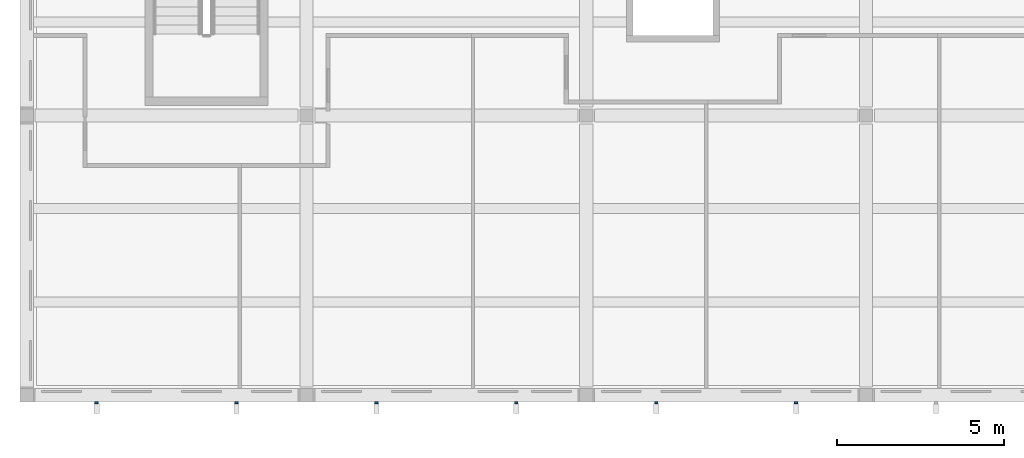
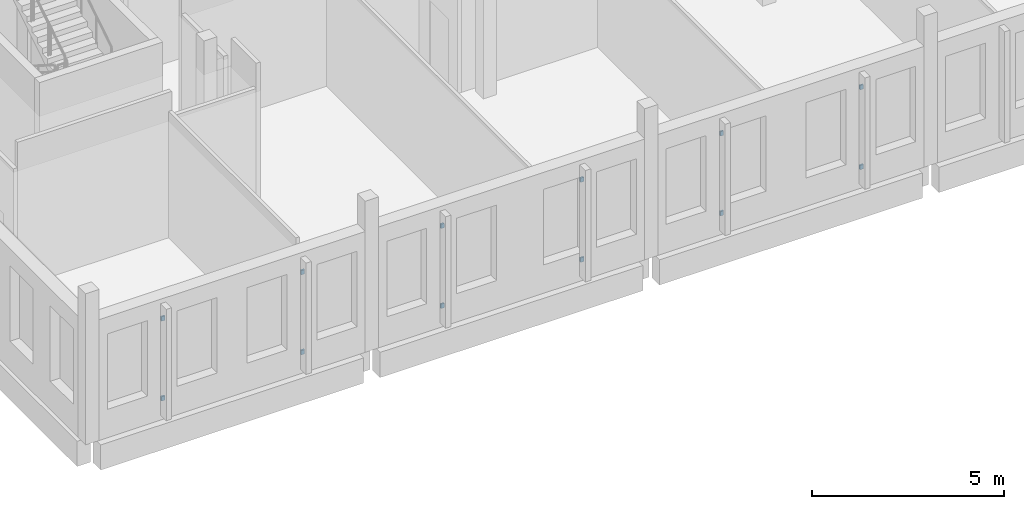
# One storey, part 68 of 103: 12 discrete accessories.
"""IFC4 building model written with IfcOpenShell, lengths in metres."""

import ifcopenshell
import ifcopenshell.guid

model = None  # the IFC model being written
_history = None  # IfcOwnerHistory: only IFC2X3 demands one
_inside = {}  # id of a spatial element -> (the spatial element, [elements in it])
_under = {}  # id of a project, library or spatial element -> (it, [spatial elements below it])
_declared = {}  # id of a project -> (the project, [libraries it declares])
_typed = {}  # id of a type object -> (the type object, [elements of that type])
_made_of = {}  # id of a material, layer set ... -> (it, [elements and type objects made of it])


def new_model(schema):
    """Start an empty IFC model of exactly this schema.

    Asked for "IFC4X3", IfcOpenShell would pick the latest addendum, in which some entities
    have other attributes; the version numbers below select the first issue.
    IFC2X3 requires an IfcOwnerHistory on every rooted entity: one is made here for all.
    """
    global model, _history
    if schema == "IFC4X3":
        model = ifcopenshell.file(schema_version=(4, 3, 0, 0))
    else:
        model = ifcopenshell.file(schema=schema)
    _inside.clear()
    _under.clear()
    _declared.clear()
    _typed.clear()
    _made_of.clear()
    _history = None
    if model.schema == "IFC2X3":
        org = make("IfcOrganization", Name="unknown")
        user = make(
            "IfcPersonAndOrganization",
            ThePerson=make("IfcPerson", FamilyName="unknown"),
            TheOrganization=org,
        )
        app = make(
            "IfcApplication",
            ApplicationDeveloper=org,
            Version="unknown",
            ApplicationFullName="unknown",
            ApplicationIdentifier="unknown",
        )
        _history = make(
            "IfcOwnerHistory",
            OwningUser=user,
            OwningApplication=app,
            ChangeAction="ADDED",
            CreationDate=0,
        )
    return model


def make(cls, **values):
    """One entity of the class cls with the attributes given. An attribute that is None is left unset."""
    return model.create_entity(
        cls, **{name: value for name, value in values.items() if value is not None}
    )


def rooted(cls, **values):
    """An entity with a GlobalId (a new one), such as an element, a storey or a relation."""
    return make(cls, GlobalId=ifcopenshell.guid.new(), OwnerHistory=_history, **values)


def si_unit(unit_type, name, prefix=None):
    """IfcSIUnit, for example si_unit("LENGTHUNIT", "METRE", prefix="MILLI")."""
    return make("IfcSIUnit", UnitType=unit_type, Prefix=prefix, Name=name)


def assignment(units):
    """IfcUnitAssignment: the units of a project."""
    return None if units is None else make("IfcUnitAssignment", Units=units)


def point(xyz):
    """IfcCartesianPoint."""
    return None if xyz is None else make("IfcCartesianPoint", Coordinates=xyz)


def direction(xyz):
    """IfcDirection."""
    return None if xyz is None else make("IfcDirection", DirectionRatios=xyz)


def frame(location, z_axis=None, x_axis=None):
    """IfcAxis2Placement3D, a coordinate frame: its origin and axes. An axis left out is left unset."""
    return make(
        "IfcAxis2Placement3D",
        Location=point(location),
        Axis=direction(z_axis),
        RefDirection=direction(x_axis),
    )


def frame_2d(location, x_axis=None):
    """IfcAxis2Placement2D, a coordinate frame in the plane: its origin and x axis."""
    return make(
        "IfcAxis2Placement2D", Location=point(location), RefDirection=direction(x_axis)
    )


def origin():
    """The frame at (0, 0, 0) with its axes left unset."""
    return frame((0.0, 0.0, 0.0))


def origin_2d():
    """The frame at (0, 0) in the plane with its x axis left unset."""
    return frame_2d((0.0, 0.0))


def place(relative_to, where):
    """IfcLocalPlacement: puts the frame where relative to a parent placement (None: the world)."""
    return make(
        "IfcLocalPlacement", PlacementRelTo=relative_to, RelativePlacement=where
    )


def context(
    kind, dimensions, precision=None, world=None, true_north=None, identifier=None
):
    """IfcGeometricRepresentationContext, for example the 3D "Model" context."""
    return make(
        "IfcGeometricRepresentationContext",
        ContextIdentifier=identifier,
        ContextType=kind,
        CoordinateSpaceDimension=dimensions,
        Precision=precision,
        WorldCoordinateSystem=world,
        TrueNorth=true_north,
    )


def subcontext(parent, identifier, kind, view, scale=None):
    """IfcGeometricRepresentationSubContext, for example "Body" below "Model"."""
    return make(
        "IfcGeometricRepresentationSubContext",
        ContextIdentifier=identifier,
        ContextType=kind,
        ParentContext=parent,
        TargetScale=scale,
        TargetView=view,
    )


def project(units=None, contexts=None):
    """IfcProject with its units and contexts."""
    return rooted(
        "IfcProject",
        Name="project",
        RepresentationContexts=contexts,
        UnitsInContext=assignment(units),
    )


def spatial(cls, under=None, at=None, **own):
    """A site, building, storey or space (cls), placed at a placement, below another one or the project."""
    s = rooted(cls, ObjectPlacement=at, **own)
    if under is not None:
        _under.setdefault(under.id(), (under, []))[1].append(s)
    return s


def profile(cls, at=None, kind="AREA", **sizes):
    """A parametric profile (cls). Its sizes go by their IFC names, for example OverallWidth=200.0."""
    return make(cls, ProfileType=kind, Position=at, **sizes)


def rectangle(**sizes):
    """IfcRectangleProfileDef."""
    return profile("IfcRectangleProfileDef", **sizes)


def extrude(swept, where, along, depth):
    """IfcExtrudedAreaSolid: the profile swept, set in the frame where, extruded along a direction by depth."""
    return make(
        "IfcExtrudedAreaSolid",
        SweptArea=swept,
        Position=where,
        ExtrudedDirection=direction(along),
        Depth=depth,
    )


def shape(context_of_items, identifier, shape_type, items):
    """IfcShapeRepresentation: the items that make up one representation, for example the "Body"."""
    return make(
        "IfcShapeRepresentation",
        ContextOfItems=context_of_items,
        RepresentationIdentifier=identifier,
        RepresentationType=shape_type,
        Items=items,
    )


def material(Name=None, Category=None):
    """IfcMaterial."""
    return make("IfcMaterial", Name=Name, Category=Category)


def layer(
    of_material, thickness, ventilated=None, Name=None, Category=None, Priority=None
):
    """IfcMaterialLayer: one layer of a wall or slab, of a material (None: an air gap)."""
    return make(
        "IfcMaterialLayer",
        Material=of_material,
        LayerThickness=thickness,
        IsVentilated=ventilated,
        Name=Name,
        Category=Category,
        Priority=Priority,
    )


def layer_set(layers, Name=None):
    """IfcMaterialLayerSet."""
    return make("IfcMaterialLayerSet", MaterialLayers=layers, LayerSetName=Name)


def made_of(thing, what):
    """Note that an element or type object is made of a material, layer set ...; save() writes the relation."""
    if what is not None:
        _made_of.setdefault(what.id(), (what, []))[1].append(thing)
    return thing


def type_object(cls, material=None, **own):
    """A type object (cls), such as IfcWallType, which elements share."""
    return made_of(rooted(cls, **own), material)


def element(
    cls,
    number,
    at=None,
    inside=None,
    cuts=None,
    type_object=None,
    material=None,
    context=None,
    identifier="Body",
    shape_type=None,
    held_by="IfcProductDefinitionShape",
    body=None,
    shapes=None,
    **own,
):
    """One element of the class cls, such as IfcWall. Its Tag is "e" and its number.

    at: its placement. inside: the storey or other place that contains it. cuts: it is an
    opening in that element (IfcRelVoidsElement). A single representation is given by context,
    identifier, shape_type and body (its items); several are given by shapes. held_by: the class
    of the entity that holds the representations. save() writes the other relations.
    """
    e = rooted(cls, Tag="e%d" % number, ObjectPlacement=at, **own)
    if body is not None:
        shapes = [shape(context, identifier, shape_type, body)]
    if shapes is not None:
        e.Representation = make(held_by, Representations=shapes)
    if inside is not None:
        _inside.setdefault(inside.id(), (inside, []))[1].append(e)
    if cuts is not None:
        rooted(
            "IfcRelVoidsElement", RelatingBuildingElement=cuts, RelatedOpeningElement=e
        )
    if type_object is not None:
        _typed.setdefault(type_object.id(), (type_object, []))[1].append(e)
    return made_of(e, material)


def aggregate(whole, parts):
    """IfcRelAggregates: a whole, such as a stair, and the parts it consists of."""
    return rooted("IfcRelAggregates", RelatingObject=whole, RelatedObjects=parts)


def save(model, path):
    """Write the relations noted so far, then the file.

    IfcRelAggregates (storeys below a building ...), IfcRelContainedInSpatialStructure (elements
    in a storey), IfcRelDefinesByType, IfcRelAssociatesMaterial and IfcRelDeclares: one each for
    every whole, place, type object, material and project.
    """
    for whole, parts in _under.values():
        aggregate(whole, parts)
    for where, things in _inside.values():
        rooted(
            "IfcRelContainedInSpatialStructure",
            RelatedElements=things,
            RelatingStructure=where,
        )
    for kind, things in _typed.values():
        rooted("IfcRelDefinesByType", RelatedObjects=things, RelatingType=kind)
    for what, things in _made_of.values():
        rooted("IfcRelAssociatesMaterial", RelatedObjects=things, RelatingMaterial=what)
    for by, libraries in _declared.values():
        rooted("IfcRelDeclares", RelatingContext=by, RelatedDefinitions=libraries)
    model.write(path)


model = new_model("IFC4")

# Units and contexts
model_context = context("Model", 3, precision=1e-05, world=origin(), true_north=direction((0.0, 1.0)))
body_context = subcontext(model_context, "Body", "Model", "MODEL_VIEW")
ifc_project = project(units=[si_unit("LENGTHUNIT", "METRE"), si_unit("AREAUNIT", "SQUARE_METRE"), si_unit("VOLUMEUNIT", "CUBIC_METRE"), si_unit("PLANEANGLEUNIT", "RADIAN"), si_unit("MASSUNIT", "GRAM", prefix="KILO")], contexts=[model_context])

# Site, building, storey
site_placement = place(None, origin())
site = spatial("IfcSite", under=ifc_project, at=site_placement, CompositionType="ELEMENT")
building_placement = place(site_placement, origin())
building = spatial("IfcBuilding", under=site, at=building_placement, Name="Larchfold Concert Hall", CompositionType="ELEMENT")
storey_placement = place(building_placement, frame((0.0, 0.0, 9.60009765625)))
storey = spatial("IfcBuildingStorey", under=building, at=storey_placement, Name="L02", CompositionType="ELEMENT", Elevation=9.60009765625)

# Discrete accessories
ifc_material = material(Name="Steel S355 galvanised bracket", Category="steel")
ifc_layer = layer(ifc_material, 0.10009765625)
ifc_layer_set = layer_set([ifc_layer], Name="Steel S355 galvanised bracket")
discrete_accessory_type = type_object("IfcDiscreteAccessoryType", Name="Fin support bracket short", PredefinedType="BRACKET", material=ifc_layer_set)
for number, where, z_axis, x_axis, name in (
    (1, (2.699951171875, 0.375, 0.6298828125), (0.0, 0.0, 1.0), (0.0, -1.0, 0.0), "Fin bracket FN-L02-019-1"),
    (2, (2.699951171875, 0.375, 3.169921875), (0.0, 0.0, 1.0), (0.0, -1.0, 0.0), "Fin bracket FN-L02-019-2"),
    (3, (6.89990234375, 0.375, 0.6298828125), (0.0, 0.0, 1.0), (0.0, -1.0, 0.0), "Fin bracket FN-L02-020-1"),
    (4, (6.89990234375, 0.375, 3.169921875), (0.0, 0.0, 1.0), (0.0, -1.0, 0.0), "Fin bracket FN-L02-020-2"),
    (5, (11.10009765625, 0.375, 0.6298828125), (0.0, 0.0, 1.0), (0.0, -1.0, 0.0), "Fin bracket FN-L02-021-1"),
    (6, (11.10009765625, 0.375, 3.169921875), (0.0, 0.0, 1.0), (0.0, -1.0, 0.0), "Fin bracket FN-L02-021-2"),
    (7, (15.300048828125, 0.375, 0.6298828125), (0.0, 0.0, 1.0), (0.0, -1.0, 0.0), "Fin bracket FN-L02-022-1"),
    (8, (15.300048828125, 0.375, 3.169921875), (0.0, 0.0, 1.0), (0.0, -1.0, 0.0), "Fin bracket FN-L02-022-2"),
    (9, (19.5, 0.375, 0.6298828125), (0.0, 0.0, 1.0), (0.0, -1.0, 0.0), "Fin bracket FN-L02-023-1"),
    (10, (19.5, 0.375, 3.169921875), (0.0, 0.0, 1.0), (0.0, -1.0, 0.0), "Fin bracket FN-L02-023-2"),
    (11, (23.699951171875, 0.375, 0.6298828125), (0.0, 0.0, 1.0), (0.0, -1.0, 0.0), "Fin bracket FN-L02-024-1"),
    (12, (23.699951171875, 0.375, 3.169921875), (0.0, 0.0, 1.0), (0.0, -1.0, 0.0), "Fin bracket FN-L02-024-2"),
):
    element("IfcDiscreteAccessory", number, at=place(storey_placement, frame(where, z_axis=z_axis, x_axis=x_axis)), inside=storey, type_object=discrete_accessory_type, Name=name, PredefinedType="BRACKET", context=body_context, shape_type="SweptSolid", body=[
        extrude(rectangle(XDim=0.050048828125, YDim=0.10009765625, at=origin_2d()), origin(), (0.0, 0.0, 1.0), 0.139892578125),
    ])

save(model, "model.ifc")
